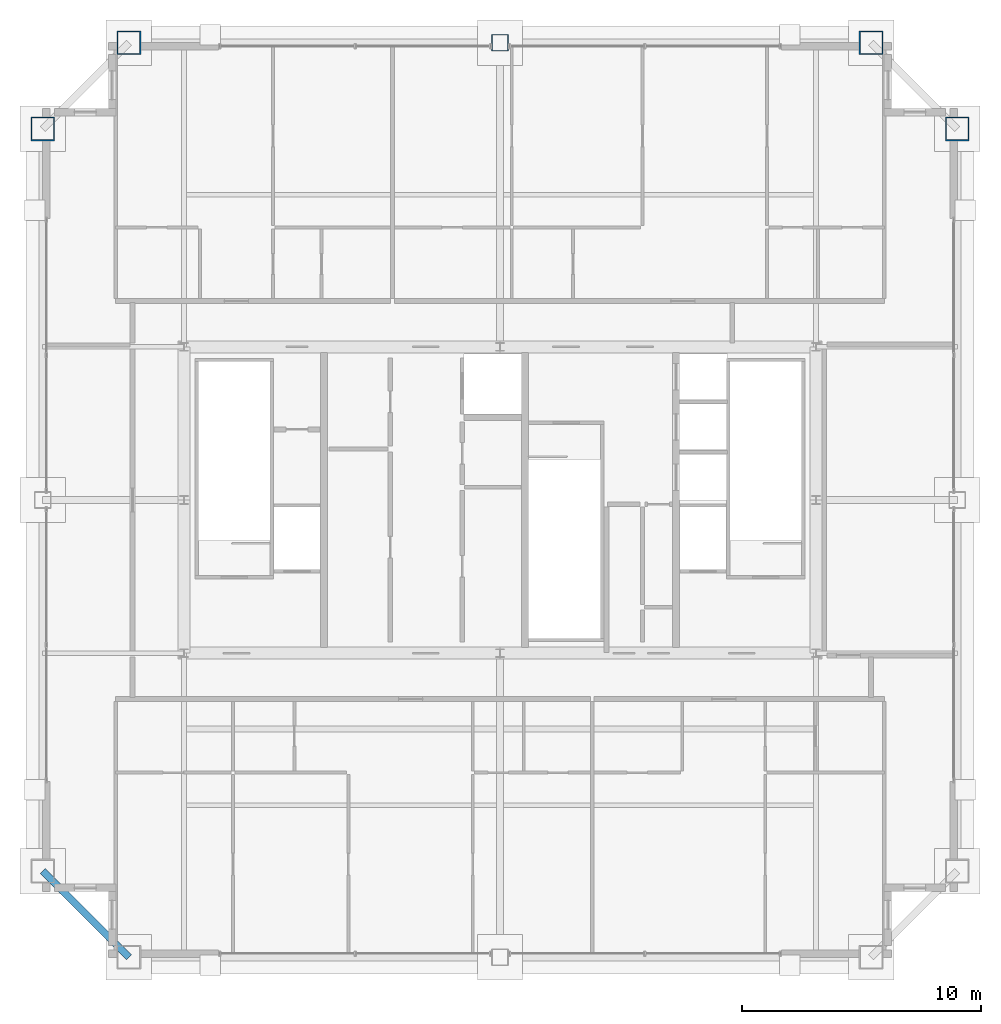
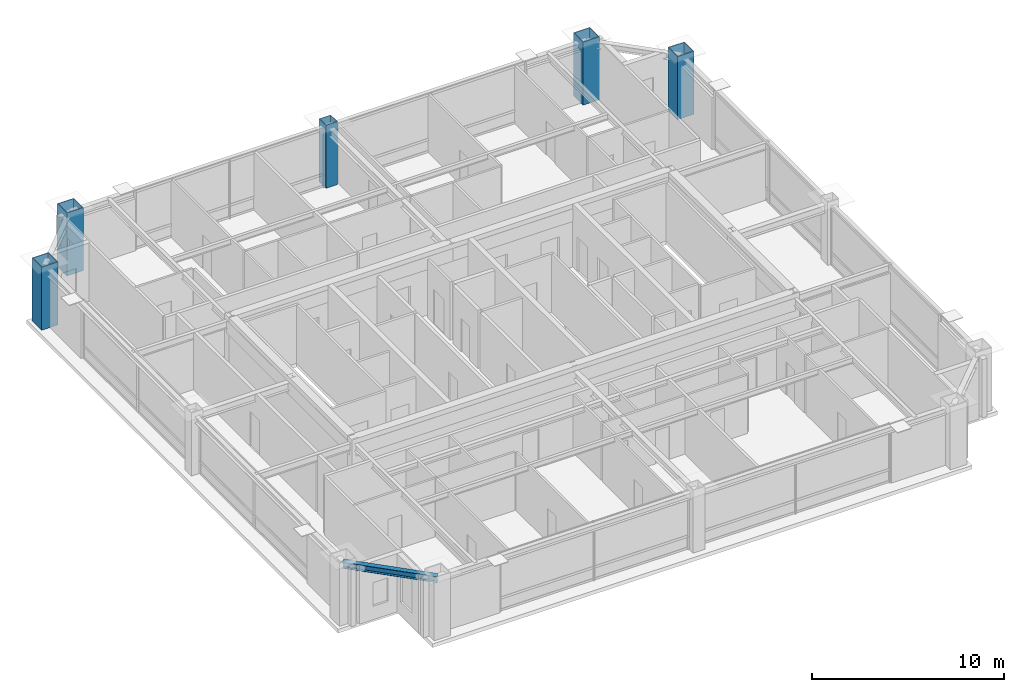
# One storey, part 3 of 34: 5 columns, 1 beam.
"""IFC4 building model written with IfcOpenShell, lengths in metres."""

from ifc_helpers import new_model, si_unit, direction, frame, origin, origin_2d, place, context, subcontext, project, spatial, hollow_rectangle, i_section, extrude, source, transform, mapped, material, material_profile, profile_set, type_object, element, save


model = new_model("IFC4")

# Units and contexts
model_context = context("Model", 3, precision=1e-05, world=origin(), true_north=direction((0.0, 1.0)))
body_context = subcontext(model_context, "Body", "Model", "MODEL_VIEW")
ifc_project = project(units=[si_unit("LENGTHUNIT", "METRE"), si_unit("AREAUNIT", "SQUARE_METRE"), si_unit("VOLUMEUNIT", "CUBIC_METRE"), si_unit("PLANEANGLEUNIT", "RADIAN"), si_unit("MASSUNIT", "GRAM", prefix="KILO"), si_unit("THERMODYNAMICTEMPERATUREUNIT", "KELVIN"), si_unit("POWERUNIT", "WATT")], contexts=[model_context])

# Site, building, storey
site_placement = place(None, origin())
site = spatial("IfcSite", under=ifc_project, at=site_placement, CompositionType="ELEMENT")
building_placement = place(site_placement, origin())
building = spatial("IfcBuilding", under=site, at=building_placement, Name="Yuzanri Waterfront Tower", CompositionType="ELEMENT")
storey_placement = place(building_placement, frame((0.0, 0.0, 347.199951171875)))
storey = spatial("IfcBuildingStorey", under=building, at=storey_placement, Name="L93", CompositionType="ELEMENT", Elevation=347.199951171875)

# Columns
ifc_material_1 = material(Name="Steel Q390GJC", Category="steel")
ifc_material_profile_1 = material_profile(ifc_material_1, hollow_rectangle(XDim=1.0, YDim=1.0, WallThickness=0.048095703125, at=origin_2d()), Name="RHS 1000x1000x48")
ifc_profile_set_1 = profile_set([ifc_material_profile_1], Name="Steel Q390GJC")
column_type_1 = type_object("IfcColumnType", Name="Mega Column Q390GJC RHS 1000x1000x48", PredefinedType="COLUMN", material=ifc_profile_set_1)
shared_shape_1 = source(origin(), body_context, "Body", "SweptSolid", [
    extrude(hollow_rectangle(XDim=1.0, YDim=1.0, WallThickness=0.048095703125, at=origin_2d()), origin(), (0.0, 0.0, 1.0), 4.0),
])
for number, where, z_axis, x_axis, name in (
    (1, (21.5, 44.89990234375, 0.0), (0.0, 0.0, 1.0), (1.0, 0.0, 0.0), "L93 Perimeter Mega Column N1"),
    (2, (52.5, 44.89990234375, 0.0), (0.0, 0.0, 1.0), (1.0, 0.0, 0.0), "L93 Perimeter Mega Column N3"),
    (3, (17.89990234375, 41.300048828125, 0.0), (0.0, 0.0, 1.0), (1.0, 0.0, 0.0), "L93 Perimeter Mega Column W3"),
    (4, (56.10009765625, 41.300048828125, 0.0), (0.0, 0.0, 1.0), (1.0, 0.0, 0.0), "L93 Perimeter Mega Column E3"),
):
    element("IfcColumn", number, at=place(storey_placement, frame(where, z_axis=z_axis, x_axis=x_axis)), inside=storey, type_object=column_type_1, Name=name, PredefinedType="COLUMN", context=body_context, shape_type="MappedRepresentation", body=[
        mapped(shared_shape_1, transform((0.0, 0.0, 0.0), scale=1.0)),
    ])
ifc_material_2 = material(Name="Steel Q355B", Category="steel")
ifc_material_profile_2 = material_profile(ifc_material_2, hollow_rectangle(XDim=0.699951171875, YDim=0.699951171875, WallThickness=0.031982421875, at=origin_2d()), Name="RHS 700x700x32")
ifc_profile_set_2 = profile_set([ifc_material_profile_2], Name="Steel Q355B")
column_type_2 = type_object("IfcColumnType", Name="Frame Column Q355B RHS 700x700x32", PredefinedType="COLUMN", material=ifc_profile_set_2)
shared_shape_2 = source(origin(), body_context, "Body", "SweptSolid", [
    extrude(hollow_rectangle(XDim=0.699951171875, YDim=0.699951171875, WallThickness=0.031982421875, at=origin_2d()), origin(), (0.0, 0.0, 1.0), 4.0),
])
column_placement = place(storey_placement, frame((37.0, 44.89990234375, 0.0), z_axis=(0.0, 0.0, 1.0), x_axis=(1.0, 0.0, 0.0)))
element("IfcColumn", 5, at=column_placement, inside=storey, type_object=column_type_2, Name="L93 Perimeter Frame Column N2", PredefinedType="COLUMN", context=body_context, shape_type="MappedRepresentation", body=[
    mapped(shared_shape_2, transform((0.0, 0.0, 0.0), scale=1.0)),
])

# Beam
ifc_material_3 = material(Name="Steel Q355B", Category="steel")
ifc_material_profile_3 = material_profile(ifc_material_3, i_section(OverallWidth=0.300048828125, OverallDepth=0.389892578125, WebThickness=0.010009765625, FlangeThickness=0.01611328125, at=origin_2d()), Name="HM 390x300x10x16")
ifc_profile_set_3 = profile_set([ifc_material_profile_3], Name="Steel Q355B")
beam_type = type_object("IfcBeamType", Name="Perimeter Spandrel Q355B HM 390x300", PredefinedType="SPANDREL", material=ifc_profile_set_3)
shared_shape_3 = source(origin(), body_context, "Body", "SweptSolid", [
    extrude(i_section(OverallWidth=0.300048828125, OverallDepth=0.389892578125, WebThickness=0.010009765625, FlangeThickness=0.01611328125, at=origin_2d()), origin(), (0.0, 0.0, 1.0), 5.09130859375),
])
beam_placement = place(storey_placement, frame((17.89990234375, 10.300048828125, 3.505126953125), z_axis=(0.707106781187, -0.707106781187, 0.0), x_axis=(0.707106781187, 0.707106781187, 0.0)))
element("IfcBeam", 6, at=beam_placement, inside=storey, type_object=beam_type, Name="L93 Perimeter Spandrel W1-S1", PredefinedType="SPANDREL", context=body_context, shape_type="MappedRepresentation", body=[
    mapped(shared_shape_3, transform((0.0, 0.0, 0.0), scale=1.0)),
])

save(model, "model.ifc")
